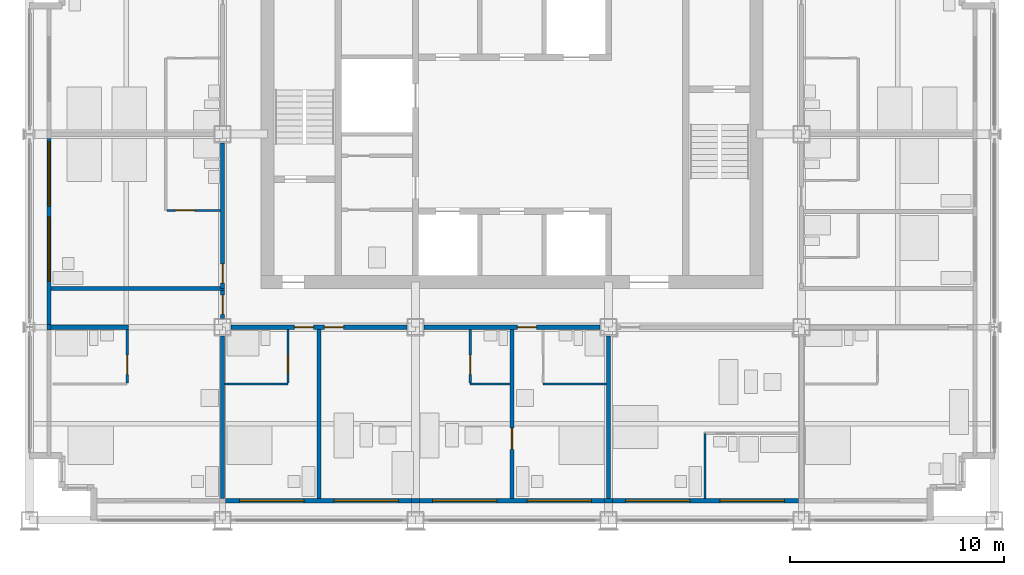
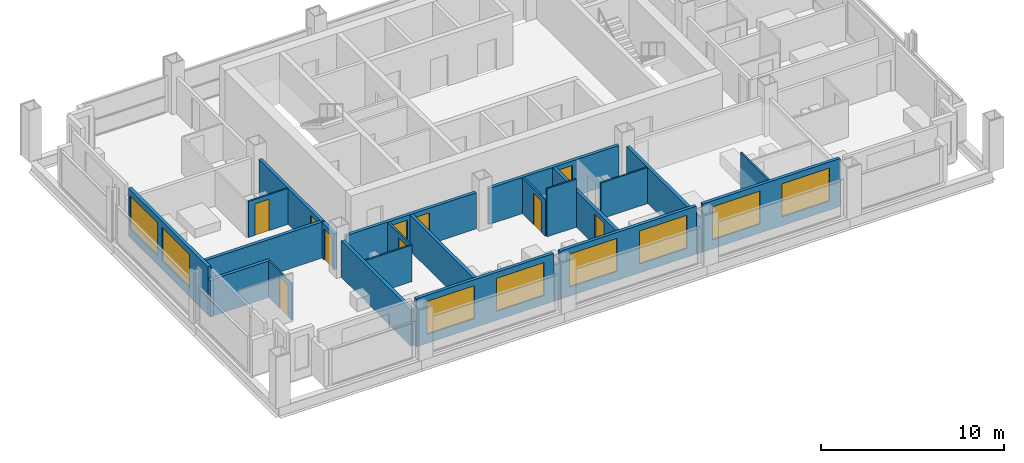
# One storey, part 7 of 13: 25 walls, 10 doors, 8 windows, 18 openings.
"""IFC4 building model written with IfcOpenShell, lengths in metres."""

from ifc_helpers import new_model, si_unit, direction, frame, frame_2d, origin, place, context, subcontext, project, spatial, rectangle, extrude, material, layer, layer_set, type_object, element, fill, save


model = new_model("IFC4")

# Units and contexts
model_context = context("Model", 3, precision=1e-05, world=origin(), true_north=direction((0.0, 1.0)))
body_context = subcontext(model_context, "Body", "Model", "MODEL_VIEW")
ifc_project = project(units=[si_unit("LENGTHUNIT", "METRE"), si_unit("AREAUNIT", "SQUARE_METRE"), si_unit("VOLUMEUNIT", "CUBIC_METRE"), si_unit("PLANEANGLEUNIT", "RADIAN"), si_unit("MASSUNIT", "GRAM", prefix="KILO")], contexts=[model_context])

# Site, building, storey
site_placement = place(None, origin())
site = spatial("IfcSite", under=ifc_project, at=site_placement, CompositionType="ELEMENT")
building_placement = place(site_placement, origin())
building = spatial("IfcBuilding", under=site, at=building_placement, Name="Loomwork Tower", CompositionType="ELEMENT")
storey_placement = place(building_placement, frame((0.0, 0.0, 197.800048828125)))
storey = spatial("IfcBuildingStorey", under=building, at=storey_placement, Name="L54", CompositionType="ELEMENT", Elevation=197.800048828125)

# Wall
ifc_material_1 = material(Name="Gypsum board on steel studs, one-hour", Category="steel")
ifc_layer_1 = layer(ifc_material_1, 0.199951171875)
ifc_layer_set_1 = layer_set([ifc_layer_1], Name="Corridor wall 200")
wall_type_1 = type_object("IfcWallType", Name="Corridor wall 200", PredefinedType="PARTITIONING", material=ifc_layer_set_1)
wall_1_placement = place(storey_placement, frame((1.0, 9.0, 0.0), z_axis=(0.0, 0.0, 1.0), x_axis=(1.0, 0.0, 0.0)))
element("IfcWall", 1, at=wall_1_placement, inside=storey, type_object=wall_type_1, Name="South corridor wall 1", PredefinedType="PARTITIONING", context=body_context, shape_type="SweptSolid", body=[
    extrude(rectangle(XDim=3.60009765625, YDim=0.199951171875, at=frame_2d((1.800048828125, 0.0))), origin(), (0.0, 0.0, 1.0), 2.43798828125),
])

# Wall, openings, doors
wall_2_placement = place(storey_placement, frame((9.39990234375, 9.0, 0.0), z_axis=(0.0, 0.0, 1.0), x_axis=(1.0, 0.0, 0.0)))
wall_2 = element("IfcWall", 2, at=wall_2_placement, inside=storey, type_object=wall_type_1, Name="South corridor wall 2", PredefinedType="PARTITIONING", context=body_context, shape_type="SweptSolid", body=[
    extrude(rectangle(XDim=8.2001953125, YDim=0.199951171875, at=frame_2d((4.10009765625, 0.0))), origin(), (0.0, 0.0, 1.0), 2.405029296875),
])
opening_1_placement = place(wall_2_placement, frame((2.949951171875, 0.0, 0.0)))
opening_1 = element("IfcOpeningElement", 3, at=opening_1_placement, cuts=wall_2, Name="Opening D1", PredefinedType="OPENING", context=body_context, shape_type="SweptSolid", body=[
    extrude(rectangle(XDim=0.89990234375, YDim=2.10009765625, at=frame_2d((0.449951171875, 1.050048828125))), frame((0.0, 0.10986328125, 0.0), z_axis=(0.0, -1.0, 0.0), x_axis=(1.0, 0.0, 0.0)), (0.0, 0.0, 1.0), 0.219970703125),
])
opening_2_placement = place(wall_2_placement, frame((4.35009765625, 0.0, 0.0)))
opening_2 = element("IfcOpeningElement", 4, at=opening_2_placement, cuts=wall_2, Name="Opening D1", PredefinedType="OPENING", context=body_context, shape_type="SweptSolid", body=[
    extrude(rectangle(XDim=0.89990234375, YDim=2.10009765625, at=frame_2d((0.449951171875, 1.050048828125))), frame((0.0, 0.10986328125, 0.0), z_axis=(0.0, -1.0, 0.0), x_axis=(1.0, 0.0, 0.0)), (0.0, 0.0, 1.0), 0.219970703125),
])
ifc_material_2 = material(Name="Hollow metal door and frame")
door_type_1 = type_object("IfcDoorType", Name="Guest room entry door 900", OperationType="SINGLE_SWING_LEFT", PredefinedType="DOOR", material=ifc_material_2)
door_1_placement = place(opening_1_placement, frame((0.89990234375, 0.0, 0.0), z_axis=(0.0, 0.0, 1.0), x_axis=(-1.0, 0.0, 0.0)))
door_1 = element("IfcDoor", 5, at=door_1_placement, inside=storey, type_object=door_type_1, Name="Guest room entry door L54 2", OperationType="SINGLE_SWING_LEFT", OverallHeight=2.10009765625, OverallWidth=0.89990234375, PredefinedType="DOOR", context=body_context, shape_type="SweptSolid", body=[
    extrude(rectangle(XDim=0.89990234375, YDim=2.10009765625, at=frame_2d((0.449951171875, 1.050048828125))), frame((0.0, 0.02490234375, 0.0), z_axis=(0.0, -1.0, 0.0), x_axis=(1.0, 0.0, 0.0)), (0.0, 0.0, 1.0), 0.050048828125),
])
fill(opening_1, door_1)
door_2_placement = place(opening_2_placement, frame((0.89990234375, 0.0, 0.0), z_axis=(0.0, 0.0, 1.0), x_axis=(-1.0, 0.0, 0.0)))
door_2 = element("IfcDoor", 6, at=door_2_placement, inside=storey, type_object=door_type_1, Name="Guest room entry door L54 3", OperationType="SINGLE_SWING_RIGHT", OverallHeight=2.10009765625, OverallWidth=0.89990234375, PredefinedType="DOOR", context=body_context, shape_type="SweptSolid", body=[
    extrude(rectangle(XDim=0.89990234375, YDim=2.10009765625, at=frame_2d((0.449951171875, 1.050048828125))), frame((0.0, 0.02490234375, 0.0), z_axis=(0.0, -1.0, 0.0), x_axis=(1.0, 0.0, 0.0)), (0.0, 0.0, 1.0), 0.050048828125),
])
fill(opening_2, door_2)

# Wall, opening, door
wall_3_placement = place(storey_placement, frame((18.39990234375, 9.0, 0.0), z_axis=(0.0, 0.0, 1.0), x_axis=(1.0, 0.0, 0.0)))
wall_3 = element("IfcWall", 7, at=wall_3_placement, inside=storey, type_object=wall_type_1, Name="South corridor wall 3", PredefinedType="PARTITIONING", context=body_context, shape_type="SweptSolid", body=[
    extrude(rectangle(XDim=8.2001953125, YDim=0.199951171875, at=frame_2d((4.10009765625, 0.0))), origin(), (0.0, 0.0, 1.0), 2.405029296875),
])
opening_3_placement = place(wall_3_placement, frame((4.35009765625, 0.0, 0.0)))
opening_3 = element("IfcOpeningElement", 8, at=opening_3_placement, cuts=wall_3, Name="Opening D1", PredefinedType="OPENING", context=body_context, shape_type="SweptSolid", body=[
    extrude(rectangle(XDim=0.89990234375, YDim=2.10009765625, at=frame_2d((0.449951171875, 1.050048828125))), frame((0.0, 0.10986328125, 0.0), z_axis=(0.0, -1.0, 0.0), x_axis=(1.0, 0.0, 0.0)), (0.0, 0.0, 1.0), 0.219970703125),
])
door_3_placement = place(opening_3_placement, frame((0.89990234375, 0.0, 0.0), z_axis=(0.0, 0.0, 1.0), x_axis=(-1.0, 0.0, 0.0)))
door_3 = element("IfcDoor", 9, at=door_3_placement, inside=storey, type_object=door_type_1, Name="Guest room entry door L54 4", OperationType="SINGLE_SWING_RIGHT", OverallHeight=2.10009765625, OverallWidth=0.89990234375, PredefinedType="DOOR", context=body_context, shape_type="SweptSolid", body=[
    extrude(rectangle(XDim=0.89990234375, YDim=2.10009765625, at=frame_2d((0.449951171875, 1.050048828125))), frame((0.0, 0.02490234375, 0.0), z_axis=(0.0, -1.0, 0.0), x_axis=(1.0, 0.0, 0.0)), (0.0, 0.0, 1.0), 0.050048828125),
])
fill(opening_3, door_3)

wall_4_placement = place(storey_placement, frame((9.0, 10.800048828125, 0.0), z_axis=(0.0, 0.0, 1.0), x_axis=(0.0, 1.0, 0.0)))
wall_4 = element("IfcWall", 10, at=wall_4_placement, inside=storey, type_object=wall_type_1, Name="West corridor wall 1", PredefinedType="PARTITIONING", context=body_context, shape_type="SweptSolid", body=[
    extrude(rectangle(XDim=6.800048828125, YDim=0.199951171875, at=frame_2d((3.39990234375, 0.0))), origin(), (0.0, 0.0, 1.0), 2.405029296875),
])
opening_4_placement = place(wall_4_placement, frame((0.25, 0.0, 0.0)))
opening_4 = element("IfcOpeningElement", 11, at=opening_4_placement, cuts=wall_4, Name="Opening D1", PredefinedType="OPENING", context=body_context, shape_type="SweptSolid", body=[
    extrude(rectangle(XDim=0.89990234375, YDim=2.10009765625, at=frame_2d((0.449951171875, 1.050048828125))), frame((0.0, 0.10986328125, 0.0), z_axis=(0.0, -1.0, 0.0), x_axis=(1.0, 0.0, 0.0)), (0.0, 0.0, 1.0), 0.219970703125),
])
door_4_placement = place(opening_4_placement, origin())
door_4 = element("IfcDoor", 12, at=door_4_placement, inside=storey, type_object=door_type_1, Name="Guest room entry door L54 7", OperationType="SINGLE_SWING_LEFT", OverallHeight=2.10009765625, OverallWidth=0.89990234375, PredefinedType="DOOR", context=body_context, shape_type="SweptSolid", body=[
    extrude(rectangle(XDim=0.89990234375, YDim=2.10009765625, at=frame_2d((0.449951171875, 1.050048828125))), frame((0.0, 0.02490234375, 0.0), z_axis=(0.0, -1.0, 0.0), x_axis=(1.0, 0.0, 0.0)), (0.0, 0.0, 1.0), 0.050048828125),
])
fill(opening_4, door_4)

# Wall
wall_5_placement = place(storey_placement, frame((1.0, 10.800048828125, 0.0), z_axis=(0.0, 0.0, 1.0), x_axis=(1.0, 0.0, 0.0)))
element("IfcWall", 13, at=wall_5_placement, inside=storey, type_object=wall_type_1, Name="West band end wall S", PredefinedType="PARTITIONING", context=body_context, shape_type="SweptSolid", body=[
    extrude(rectangle(XDim=8.10009765625, YDim=0.199951171875, at=frame_2d((4.050048828125, 0.0))), origin(), (0.0, 0.0, 1.0), 2.404052734375),
])

# Wall, opening, door
wall_6_placement = place(storey_placement, frame((9.0, 9.39990234375, 0.0), z_axis=(0.0, 0.0, 1.0), x_axis=(0.0, 1.0, 0.0)))
wall_6 = element("IfcWall", 14, at=wall_6_placement, inside=storey, type_object=wall_type_1, Name="Corner suite foyer wall", PredefinedType="PARTITIONING", context=body_context, shape_type="SweptSolid", body=[
    extrude(rectangle(XDim=1.300048828125, YDim=0.199951171875, at=frame_2d((0.64990234375, 0.0))), origin(), (0.0, 0.0, 1.0), 2.405029296875),
])
opening_5_placement = place(wall_6_placement, frame((0.199951171875, 0.0, 0.0)))
opening_5 = element("IfcOpeningElement", 15, at=opening_5_placement, cuts=wall_6, Name="Opening D1", PredefinedType="OPENING", context=body_context, shape_type="SweptSolid", body=[
    extrude(rectangle(XDim=0.89990234375, YDim=2.10009765625, at=frame_2d((0.449951171875, 1.050048828125))), frame((0.0, 0.10986328125, 0.0), z_axis=(0.0, -1.0, 0.0), x_axis=(1.0, 0.0, 0.0)), (0.0, 0.0, 1.0), 0.219970703125),
])
door_5_placement = place(opening_5_placement, origin())
door_5 = element("IfcDoor", 16, at=door_5_placement, inside=storey, type_object=door_type_1, Name="Guest room entry door L54 1", OperationType="SINGLE_SWING_RIGHT", OverallHeight=2.10009765625, OverallWidth=0.89990234375, PredefinedType="DOOR", context=body_context, shape_type="SweptSolid", body=[
    extrude(rectangle(XDim=0.89990234375, YDim=2.10009765625, at=frame_2d((0.449951171875, 1.050048828125))), frame((0.0, 0.02490234375, 0.0), z_axis=(0.0, -1.0, 0.0), x_axis=(1.0, 0.0, 0.0)), (0.0, 0.0, 1.0), 0.050048828125),
])
fill(opening_5, door_5)

ifc_material_3 = material(Name="Cement board on steel studs", Category="steel")
ifc_layer_2 = layer(ifc_material_3, 0.10009765625)
ifc_layer_set_2 = layer_set([ifc_layer_2], Name="En-suite partition 100")
wall_type_2 = type_object("IfcWallType", Name="En-suite partition 100", PredefinedType="PARTITIONING", material=ifc_layer_set_2)
wall_7_placement = place(storey_placement, frame((4.550048828125, 8.89990234375, 0.0), z_axis=(0.0, 0.0, 1.0), x_axis=(0.0, -1.0, 0.0)))
wall_7 = element("IfcWall", 17, at=wall_7_placement, inside=storey, type_object=wall_type_2, Name="En-suite side wall L54 room 1", PredefinedType="PARTITIONING", context=body_context, shape_type="SweptSolid", body=[
    extrude(rectangle(XDim=2.5, YDim=0.10009765625, at=frame_2d((1.25, 0.0))), origin(), (0.0, 0.0, 1.0), 2.43798828125),
])
opening_6_placement = place(wall_7_placement, frame((1.199951171875, 0.0, 0.0)))
opening_6 = element("IfcOpeningElement", 18, at=opening_6_placement, cuts=wall_7, Name="Opening D3", PredefinedType="OPENING", context=body_context, shape_type="SweptSolid", body=[
    extrude(rectangle(XDim=0.89990234375, YDim=2.10009765625, at=frame_2d((0.449951171875, 1.050048828125))), frame((0.0, 0.06005859375, 0.0), z_axis=(0.0, -1.0, 0.0), x_axis=(1.0, 0.0, 0.0)), (0.0, 0.0, 1.0), 0.1201171875),
])
ifc_material_4 = material(Name="Hollow metal door and frame")
door_type_2 = type_object("IfcDoorType", Name="Accessible en-suite door 900", OperationType="SLIDING_TO_LEFT", PredefinedType="DOOR", material=ifc_material_4)
door_6_placement = place(opening_6_placement, origin())
door_6 = element("IfcDoor", 19, at=door_6_placement, inside=storey, type_object=door_type_2, Name="Accessible en-suite door room 1", OperationType="SLIDING_TO_LEFT", OverallHeight=2.10009765625, OverallWidth=0.89990234375, PredefinedType="DOOR", context=body_context, shape_type="SweptSolid", body=[
    extrude(rectangle(XDim=0.89990234375, YDim=2.10009765625, at=frame_2d((0.449951171875, 1.050048828125))), frame((0.0, 0.02490234375, 0.0), z_axis=(0.0, -1.0, 0.0), x_axis=(1.0, 0.0, 0.0)), (0.0, 0.0, 1.0), 0.050048828125),
])
fill(opening_6, door_6)

# Wall
wall_8_placement = place(storey_placement, frame((9.10009765625, 6.35009765625, 0.0), z_axis=(0.0, 0.0, 1.0), x_axis=(1.0, 0.0, 0.0)))
element("IfcWall", 20, at=wall_8_placement, inside=storey, type_object=wall_type_2, Name="En-suite wall L54 room 2", PredefinedType="PARTITIONING", context=body_context, shape_type="SweptSolid", body=[
    extrude(rectangle(XDim=2.949951171875, YDim=0.10009765625, at=frame_2d((1.47509765625, 0.0))), origin(), (0.0, 0.0, 1.0), 2.43798828125),
])

# Wall, opening, door
wall_9_placement = place(storey_placement, frame((12.050048828125, 8.89990234375, 0.0), z_axis=(0.0, 0.0, 1.0), x_axis=(0.0, -1.0, 0.0)))
wall_9 = element("IfcWall", 21, at=wall_9_placement, inside=storey, type_object=wall_type_2, Name="En-suite side wall L54 room 2", PredefinedType="PARTITIONING", context=body_context, shape_type="SweptSolid", body=[
    extrude(rectangle(XDim=2.5, YDim=0.10009765625, at=frame_2d((1.25, 0.0))), origin(), (0.0, 0.0, 1.0), 2.404052734375),
])
opening_7_placement = place(wall_9_placement, frame((1.199951171875, 0.0, 0.0)))
opening_7 = element("IfcOpeningElement", 22, at=opening_7_placement, cuts=wall_9, Name="Opening D3", PredefinedType="OPENING", context=body_context, shape_type="SweptSolid", body=[
    extrude(rectangle(XDim=0.89990234375, YDim=2.10009765625, at=frame_2d((0.449951171875, 1.050048828125))), frame((0.0, 0.06005859375, 0.0), z_axis=(0.0, -1.0, 0.0), x_axis=(1.0, 0.0, 0.0)), (0.0, 0.0, 1.0), 0.1201171875),
])
door_7_placement = place(opening_7_placement, origin())
door_7 = element("IfcDoor", 23, at=door_7_placement, inside=storey, type_object=door_type_2, Name="Accessible en-suite door room 2", OperationType="SLIDING_TO_LEFT", OverallHeight=2.10009765625, OverallWidth=0.89990234375, PredefinedType="DOOR", context=body_context, shape_type="SweptSolid", body=[
    extrude(rectangle(XDim=0.89990234375, YDim=2.10009765625, at=frame_2d((0.449951171875, 1.050048828125))), frame((0.0, 0.02490234375, 0.0), z_axis=(0.0, -1.0, 0.0), x_axis=(1.0, 0.0, 0.0)), (0.0, 0.0, 1.0), 0.050048828125),
])
fill(opening_7, door_7)

# Wall
wall_10_placement = place(storey_placement, frame((20.550048828125, 6.35009765625, 0.0), z_axis=(0.0, 0.0, 1.0), x_axis=(1.0, 0.0, 0.0)))
element("IfcWall", 24, at=wall_10_placement, inside=storey, type_object=wall_type_2, Name="En-suite wall L54 room 3", PredefinedType="PARTITIONING", context=body_context, shape_type="SweptSolid", body=[
    extrude(rectangle(XDim=1.849853515625, YDim=0.10009765625, at=frame_2d((0.9248046875, 0.0))), origin(), (0.0, 0.0, 1.0), 3.199951171875),
])

# Wall, opening, door
wall_11_placement = place(storey_placement, frame((20.550048828125, 8.89990234375, 0.0), z_axis=(0.0, 0.0, 1.0), x_axis=(0.0, -1.0, 0.0)))
wall_11 = element("IfcWall", 25, at=wall_11_placement, inside=storey, type_object=wall_type_2, Name="En-suite side wall L54 room 3", PredefinedType="PARTITIONING", context=body_context, shape_type="SweptSolid", body=[
    extrude(rectangle(XDim=2.5, YDim=0.10009765625, at=frame_2d((1.25, 0.0))), origin(), (0.0, 0.0, 1.0), 2.404052734375),
])
opening_8_placement = place(wall_11_placement, frame((1.199951171875, 0.0, 0.0)))
opening_8 = element("IfcOpeningElement", 26, at=opening_8_placement, cuts=wall_11, Name="Opening D2", PredefinedType="OPENING", context=body_context, shape_type="SweptSolid", body=[
    extrude(rectangle(XDim=0.89990234375, YDim=2.10009765625, at=frame_2d((0.449951171875, 1.050048828125))), frame((0.0, 0.06005859375, 0.0), z_axis=(0.0, -1.0, 0.0), x_axis=(1.0, 0.0, 0.0)), (0.0, 0.0, 1.0), 0.1201171875),
])
ifc_material_5 = material(Name="Hollow metal door and frame")
door_type_3 = type_object("IfcDoorType", Name="En-suite door 900", OperationType="SINGLE_SWING_LEFT", PredefinedType="DOOR", material=ifc_material_5)
door_8_placement = place(opening_8_placement, origin())
door_8 = element("IfcDoor", 27, at=door_8_placement, inside=storey, type_object=door_type_3, Name="Suite powder room door room 3", OperationType="SINGLE_SWING_RIGHT", OverallHeight=2.10009765625, OverallWidth=0.89990234375, PredefinedType="DOOR", context=body_context, shape_type="SweptSolid", body=[
    extrude(rectangle(XDim=0.89990234375, YDim=2.10009765625, at=frame_2d((0.449951171875, 1.050048828125))), frame((0.0, 0.02490234375, 0.0), z_axis=(0.0, -1.0, 0.0), x_axis=(1.0, 0.0, 0.0)), (0.0, 0.0, 1.0), 0.050048828125),
])
fill(opening_8, door_8)

# Walls
wall_12_placement = place(storey_placement, frame((23.949951171875, 6.35009765625, 0.0), z_axis=(0.0, 0.0, 1.0), x_axis=(1.0, 0.0, 0.0)))
element("IfcWall", 28, at=wall_12_placement, inside=storey, type_object=wall_type_2, Name="En-suite wall L54 room 4", PredefinedType="PARTITIONING", context=body_context, shape_type="SweptSolid", body=[
    extrude(rectangle(XDim=2.949951171875, YDim=0.10009765625, at=frame_2d((1.47509765625, 0.0))), origin(), (0.0, 0.0, 1.0), 2.404052734375),
])
wall_13_placement = place(storey_placement, frame((31.5, 4.050048828125, 0.0), z_axis=(0.0, 0.0, 1.0), x_axis=(0.0, -1.0, 0.0)))
element("IfcWall", 29, at=wall_13_placement, inside=storey, type_object=wall_type_2, Name="Spa bathroom side wall L54 room 5", PredefinedType="PARTITIONING", context=body_context, shape_type="SweptSolid", body=[
    extrude(rectangle(XDim=3.050048828125, YDim=0.10009765625, at=frame_2d((1.52490234375, 0.0))), origin(), (0.0, 0.0, 1.0), 3.199951171875),
])

# Wall, opening, door
wall_14_placement = place(storey_placement, frame((8.89990234375, 14.449951171875, 0.0), z_axis=(0.0, 0.0, 1.0), x_axis=(-1.0, 0.0, 0.0)))
wall_14 = element("IfcWall", 30, at=wall_14_placement, inside=storey, type_object=wall_type_2, Name="En-suite side wall L54 room 7", PredefinedType="PARTITIONING", context=body_context, shape_type="SweptSolid", body=[
    extrude(rectangle(XDim=2.5, YDim=0.10009765625, at=frame_2d((1.25, 0.0))), origin(), (0.0, 0.0, 1.0), 2.404052734375),
])
opening_9_placement = place(wall_14_placement, frame((1.199951171875, 0.0, 0.0)))
opening_9 = element("IfcOpeningElement", 31, at=opening_9_placement, cuts=wall_14, Name="Opening D2", PredefinedType="OPENING", context=body_context, shape_type="SweptSolid", body=[
    extrude(rectangle(XDim=0.89990234375, YDim=2.10009765625, at=frame_2d((0.449951171875, 1.050048828125))), frame((0.0, 0.06005859375, 0.0), z_axis=(0.0, -1.0, 0.0), x_axis=(1.0, 0.0, 0.0)), (0.0, 0.0, 1.0), 0.1201171875),
])
door_9_placement = place(opening_9_placement, frame((0.89990234375, 0.0, 0.0), z_axis=(0.0, 0.0, 1.0), x_axis=(-1.0, 0.0, 0.0)))
door_9 = element("IfcDoor", 32, at=door_9_placement, inside=storey, type_object=door_type_3, Name="En-suite door room 7", OperationType="SINGLE_SWING_LEFT", OverallHeight=2.10009765625, OverallWidth=0.89990234375, PredefinedType="DOOR", context=body_context, shape_type="SweptSolid", body=[
    extrude(rectangle(XDim=0.89990234375, YDim=2.10009765625, at=frame_2d((0.449951171875, 1.050048828125))), frame((0.0, 0.02490234375, 0.0), z_axis=(0.0, -1.0, 0.0), x_axis=(1.0, 0.0, 0.0)), (0.0, 0.0, 1.0), 0.050048828125),
])
fill(opening_9, door_9)

# Walls
ifc_material_6 = material(Name="Gypsum board on steel studs, acoustic", Category="steel")
ifc_layer_3 = layer(ifc_material_6, 0.199951171875)
ifc_layer_set_3 = layer_set([ifc_layer_3], Name="Guest room party wall 200")
wall_type_3 = type_object("IfcWallType", Name="Guest room party wall 200", PredefinedType="PARTITIONING", material=ifc_layer_set_3)
wall_15_placement = place(storey_placement, frame((9.0, 8.60009765625, 0.0), z_axis=(0.0, 0.0, 1.0), x_axis=(0.0, -1.0, 0.0)))
element("IfcWall", 33, at=wall_15_placement, inside=storey, type_object=wall_type_3, Name="Guest room party wall S 9", PredefinedType="PARTITIONING", context=body_context, shape_type="SweptSolid", body=[
    extrude(rectangle(XDim=7.60009765625, YDim=0.199951171875, at=frame_2d((3.800048828125, 0.0))), origin(), (0.0, 0.0, 1.0), 2.43798828125),
])
wall_16_placement = place(storey_placement, frame((13.5, 8.89990234375, 0.0), z_axis=(0.0, 0.0, 1.0), x_axis=(0.0, -1.0, 0.0)))
element("IfcWall", 34, at=wall_16_placement, inside=storey, type_object=wall_type_3, Name="Guest room party wall S 13.5", PredefinedType="PARTITIONING", context=body_context, shape_type="SweptSolid", body=[
    extrude(rectangle(XDim=7.89990234375, YDim=0.199951171875, at=frame_2d((3.949951171875, 0.0))), origin(), (0.0, 0.0, 1.0), 2.404052734375),
])

# Wall, opening, door
wall_17_placement = place(storey_placement, frame((22.5, 8.89990234375, 0.0), z_axis=(0.0, 0.0, 1.0), x_axis=(0.0, -1.0, 0.0)))
wall_17 = element("IfcWall", 35, at=wall_17_placement, inside=storey, type_object=wall_type_3, Name="Guest room party wall S 22.5", PredefinedType="PARTITIONING", context=body_context, shape_type="SweptSolid", body=[
    extrude(rectangle(XDim=7.89990234375, YDim=0.199951171875, at=frame_2d((3.949951171875, 0.0))), origin(), (0.0, 0.0, 1.0), 2.404052734375),
])
opening_10_placement = place(wall_17_placement, frame((4.60009765625, 0.0, 0.0)))
opening_10 = element("IfcOpeningElement", 36, at=opening_10_placement, cuts=wall_17, Name="Opening D7", PredefinedType="OPENING", context=body_context, shape_type="SweptSolid", body=[
    extrude(rectangle(XDim=1.0, YDim=2.10009765625, at=frame_2d((0.5, 1.050048828125))), frame((0.0, 0.10986328125, 0.0), z_axis=(0.0, -1.0, 0.0), x_axis=(1.0, 0.0, 0.0)), (0.0, 0.0, 1.0), 0.219970703125),
])
ifc_material_7 = material(Name="Hollow metal door and frame")
door_type_4 = type_object("IfcDoorType", Name="Room door 1000", OperationType="SINGLE_SWING_LEFT", PredefinedType="DOOR", material=ifc_material_7)
door_10_placement = place(opening_10_placement, origin())
door_10 = element("IfcDoor", 37, at=door_10_placement, inside=storey, type_object=door_type_4, Name="Suite connecting door L54 S 22.5", OperationType="SINGLE_SWING_LEFT", OverallHeight=2.10009765625, OverallWidth=1.0, PredefinedType="DOOR", context=body_context, shape_type="SweptSolid", body=[
    extrude(rectangle(XDim=1.0, YDim=2.10009765625, at=frame_2d((0.5, 1.050048828125))), frame((0.0, 0.02490234375, 0.0), z_axis=(0.0, -1.0, 0.0), x_axis=(1.0, 0.0, 0.0)), (0.0, 0.0, 1.0), 0.050048828125),
])
fill(opening_10, door_10)

# Wall
wall_18_placement = place(storey_placement, frame((27.0, 8.60009765625, 0.0), z_axis=(0.0, 0.0, 1.0), x_axis=(0.0, -1.0, 0.0)))
element("IfcWall", 38, at=wall_18_placement, inside=storey, type_object=wall_type_3, Name="Guest room party wall S 27", PredefinedType="PARTITIONING", context=body_context, shape_type="SweptSolid", body=[
    extrude(rectangle(XDim=7.60009765625, YDim=0.199951171875, at=frame_2d((3.800048828125, 0.0))), origin(), (0.0, 0.0, 1.0), 2.405029296875),
])

# Wall, openings, windows
ifc_material_8 = material(Name="Insulated steel stud wall with gypsum lining", Category="steel")
ifc_layer_4 = layer(ifc_material_8, 0.199951171875)
ifc_layer_set_4 = layer_set([ifc_layer_4], Name="Inner skin wall 200")
wall_type_4 = type_object("IfcWallType", Name="Inner skin wall 200", PredefinedType="SOLIDWALL", material=ifc_layer_set_4)
wall_19_placement = place(storey_placement, frame((9.13525390625, 0.89990234375, 0.0), z_axis=(0.0, 0.0, 1.0), x_axis=(1.0, 0.0, 0.0)))
wall_19 = element("IfcWall", 39, at=wall_19_placement, inside=storey, type_object=wall_type_4, Name="Inner skin wall S bay 3", PredefinedType="SOLIDWALL", context=body_context, shape_type="SweptSolid", body=[
    extrude(rectangle(XDim=8.6708984375, YDim=0.199951171875, at=frame_2d((4.33544921875, 0.0))), origin(), (0.0, 0.0, 1.0), 3.199951171875),
])
opening_11_placement = place(wall_19_placement, frame((0.664794921875, 0.0, 0.60009765625)))
opening_11 = element("IfcOpeningElement", 40, at=opening_11_placement, cuts=wall_19, Name="Opening CH1", PredefinedType="OPENING", context=body_context, shape_type="SweptSolid", body=[
    extrude(rectangle(XDim=3.0, YDim=2.199951171875, at=frame_2d((1.5, 1.10009765625))), frame((0.0, 0.10986328125, 0.0), z_axis=(0.0, -1.0, 0.0), x_axis=(1.0, 0.0, 0.0)), (0.0, 0.0, 1.0), 0.219970703125),
])
opening_12_placement = place(wall_19_placement, frame((5.064697265625, 0.0, 0.60009765625)))
opening_12 = element("IfcOpeningElement", 41, at=opening_12_placement, cuts=wall_19, Name="Opening CH1", PredefinedType="OPENING", context=body_context, shape_type="SweptSolid", body=[
    extrude(rectangle(XDim=3.0, YDim=2.199951171875, at=frame_2d((1.5, 1.10009765625))), frame((0.0, 0.10986328125, 0.0), z_axis=(0.0, -1.0, 0.0), x_axis=(1.0, 0.0, 0.0)), (0.0, 0.0, 1.0), 0.219970703125),
])
ifc_material_9 = material(Name="Aluminium frame with clear insulated glass", Category="aluminium")
window_type = type_object("IfcWindowType", Name="Chicago window 3000", PartitioningType="TRIPLE_PANEL_VERTICAL", PredefinedType="WINDOW", material=ifc_material_9)
window_1_placement = place(opening_11_placement, origin())
window_1 = element("IfcWindow", 42, at=window_1_placement, inside=storey, type_object=window_type, Name="Chicago window L54 bay 2", OverallHeight=2.199951171875, OverallWidth=3.0, PartitioningType="TRIPLE_PANEL_VERTICAL", PredefinedType="WINDOW", context=body_context, shape_type="SweptSolid", body=[
    extrude(rectangle(XDim=3.0, YDim=2.199951171875, at=frame_2d((1.5, 1.10009765625))), frame((0.0, 0.030029296875, 0.0), z_axis=(0.0, -1.0, 0.0), x_axis=(1.0, 0.0, 0.0)), (0.0, 0.0, 1.0), 0.06005859375),
])
fill(opening_11, window_1)
window_2_placement = place(opening_12_placement, origin())
window_2 = element("IfcWindow", 43, at=window_2_placement, inside=storey, type_object=window_type, Name="Chicago window L54 bay 2", OverallHeight=2.199951171875, OverallWidth=3.0, PartitioningType="TRIPLE_PANEL_VERTICAL", PredefinedType="WINDOW", context=body_context, shape_type="SweptSolid", body=[
    extrude(rectangle(XDim=3.0, YDim=2.199951171875, at=frame_2d((1.5, 1.10009765625))), frame((0.0, 0.030029296875, 0.0), z_axis=(0.0, -1.0, 0.0), x_axis=(1.0, 0.0, 0.0)), (0.0, 0.0, 1.0), 0.06005859375),
])
fill(opening_12, window_2)

# Wall
wall_20_placement = place(storey_placement, frame((17.80615234375, 0.89990234375, 0.0), z_axis=(0.0, 0.0, 1.0), x_axis=(1.0, 0.0, 0.0)))
element("IfcWall", 44, at=wall_20_placement, inside=storey, type_object=wall_type_4, Name="Inner skin wall S bay 4", PredefinedType="SOLIDWALL", context=body_context, shape_type="SweptSolid", body=[
    extrude(rectangle(XDim=0.3876953125, YDim=0.199951171875, at=frame_2d((0.19384765625, 0.0))), origin(), (0.0, 0.0, 1.0), 2.404052734375),
])

# Wall, openings, windows
wall_21_placement = place(storey_placement, frame((18.19384765625, 0.89990234375, 0.0), z_axis=(0.0, 0.0, 1.0), x_axis=(1.0, 0.0, 0.0)))
wall_21 = element("IfcWall", 45, at=wall_21_placement, inside=storey, type_object=wall_type_4, Name="Inner skin wall S bay 5", PredefinedType="SOLIDWALL", context=body_context, shape_type="SweptSolid", body=[
    extrude(rectangle(XDim=8.6123046875, YDim=0.199951171875, at=frame_2d((4.30615234375, 0.0))), origin(), (0.0, 0.0, 1.0), 3.199951171875),
])
opening_13_placement = place(wall_21_placement, frame((0.606201171875, 0.0, 0.60009765625)))
opening_13 = element("IfcOpeningElement", 46, at=opening_13_placement, cuts=wall_21, Name="Opening CH1", PredefinedType="OPENING", context=body_context, shape_type="SweptSolid", body=[
    extrude(rectangle(XDim=3.0, YDim=2.199951171875, at=frame_2d((1.5, 1.10009765625))), frame((0.0, 0.10986328125, 0.0), z_axis=(0.0, -1.0, 0.0), x_axis=(1.0, 0.0, 0.0)), (0.0, 0.0, 1.0), 0.219970703125),
])
opening_14_placement = place(wall_21_placement, frame((5.006103515625, 0.0, 0.60009765625)))
opening_14 = element("IfcOpeningElement", 47, at=opening_14_placement, cuts=wall_21, Name="Opening CH1", PredefinedType="OPENING", context=body_context, shape_type="SweptSolid", body=[
    extrude(rectangle(XDim=3.0, YDim=2.199951171875, at=frame_2d((1.5, 1.10009765625))), frame((0.0, 0.10986328125, 0.0), z_axis=(0.0, -1.0, 0.0), x_axis=(1.0, 0.0, 0.0)), (0.0, 0.0, 1.0), 0.219970703125),
])
window_3_placement = place(opening_13_placement, origin())
window_3 = element("IfcWindow", 48, at=window_3_placement, inside=storey, type_object=window_type, Name="Chicago window L54 bay 3", OverallHeight=2.199951171875, OverallWidth=3.0, PartitioningType="TRIPLE_PANEL_VERTICAL", PredefinedType="WINDOW", context=body_context, shape_type="SweptSolid", body=[
    extrude(rectangle(XDim=3.0, YDim=2.199951171875, at=frame_2d((1.5, 1.10009765625))), frame((0.0, 0.030029296875, 0.0), z_axis=(0.0, -1.0, 0.0), x_axis=(1.0, 0.0, 0.0)), (0.0, 0.0, 1.0), 0.06005859375),
])
fill(opening_13, window_3)
window_4_placement = place(opening_14_placement, origin())
window_4 = element("IfcWindow", 49, at=window_4_placement, inside=storey, type_object=window_type, Name="Chicago window L54 bay 3", OverallHeight=2.199951171875, OverallWidth=3.0, PartitioningType="TRIPLE_PANEL_VERTICAL", PredefinedType="WINDOW", context=body_context, shape_type="SweptSolid", body=[
    extrude(rectangle(XDim=3.0, YDim=2.199951171875, at=frame_2d((1.5, 1.10009765625))), frame((0.0, 0.030029296875, 0.0), z_axis=(0.0, -1.0, 0.0), x_axis=(1.0, 0.0, 0.0)), (0.0, 0.0, 1.0), 0.06005859375),
])
fill(opening_14, window_4)

# Wall
wall_22_placement = place(storey_placement, frame((26.80615234375, 0.89990234375, 0.0), z_axis=(0.0, 0.0, 1.0), x_axis=(1.0, 0.0, 0.0)))
element("IfcWall", 50, at=wall_22_placement, inside=storey, type_object=wall_type_4, Name="Inner skin wall S bay 6", PredefinedType="SOLIDWALL", context=body_context, shape_type="SweptSolid", body=[
    extrude(rectangle(XDim=0.3876953125, YDim=0.199951171875, at=frame_2d((0.19384765625, 0.0))), origin(), (0.0, 0.0, 1.0), 2.404052734375),
])

# Wall, openings, windows
wall_23_placement = place(storey_placement, frame((27.19384765625, 0.89990234375, 0.0), z_axis=(0.0, 0.0, 1.0), x_axis=(1.0, 0.0, 0.0)))
wall_23 = element("IfcWall", 51, at=wall_23_placement, inside=storey, type_object=wall_type_4, Name="Inner skin wall S bay 7", PredefinedType="SOLIDWALL", context=body_context, shape_type="SweptSolid", body=[
    extrude(rectangle(XDim=8.670654296875, YDim=0.199951171875, at=frame_2d((4.33544921875, 0.0))), origin(), (0.0, 0.0, 1.0), 3.199951171875),
])
opening_15_placement = place(wall_23_placement, frame((0.606201171875, 0.0, 0.60009765625)))
opening_15 = element("IfcOpeningElement", 52, at=opening_15_placement, cuts=wall_23, Name="Opening CH1", PredefinedType="OPENING", context=body_context, shape_type="SweptSolid", body=[
    extrude(rectangle(XDim=3.0, YDim=2.199951171875, at=frame_2d((1.5, 1.10009765625))), frame((0.0, 0.10986328125, 0.0), z_axis=(0.0, -1.0, 0.0), x_axis=(1.0, 0.0, 0.0)), (0.0, 0.0, 1.0), 0.219970703125),
])
opening_16_placement = place(wall_23_placement, frame((5.006103515625, 0.0, 0.60009765625)))
opening_16 = element("IfcOpeningElement", 53, at=opening_16_placement, cuts=wall_23, Name="Opening CH1", PredefinedType="OPENING", context=body_context, shape_type="SweptSolid", body=[
    extrude(rectangle(XDim=3.0, YDim=2.199951171875, at=frame_2d((1.5, 1.10009765625))), frame((0.0, 0.10986328125, 0.0), z_axis=(0.0, -1.0, 0.0), x_axis=(1.0, 0.0, 0.0)), (0.0, 0.0, 1.0), 0.219970703125),
])
window_5_placement = place(opening_15_placement, origin())
window_5 = element("IfcWindow", 54, at=window_5_placement, inside=storey, type_object=window_type, Name="Chicago window L54 bay 4", OverallHeight=2.199951171875, OverallWidth=3.0, PartitioningType="TRIPLE_PANEL_VERTICAL", PredefinedType="WINDOW", context=body_context, shape_type="SweptSolid", body=[
    extrude(rectangle(XDim=3.0, YDim=2.199951171875, at=frame_2d((1.5, 1.10009765625))), frame((0.0, 0.030029296875, 0.0), z_axis=(0.0, -1.0, 0.0), x_axis=(1.0, 0.0, 0.0)), (0.0, 0.0, 1.0), 0.06005859375),
])
fill(opening_15, window_5)
window_6_placement = place(opening_16_placement, origin())
window_6 = element("IfcWindow", 55, at=window_6_placement, inside=storey, type_object=window_type, Name="Chicago window L54 bay 4", OverallHeight=2.199951171875, OverallWidth=3.0, PartitioningType="TRIPLE_PANEL_VERTICAL", PredefinedType="WINDOW", context=body_context, shape_type="SweptSolid", body=[
    extrude(rectangle(XDim=3.0, YDim=2.199951171875, at=frame_2d((1.5, 1.10009765625))), frame((0.0, 0.030029296875, 0.0), z_axis=(0.0, -1.0, 0.0), x_axis=(1.0, 0.0, 0.0)), (0.0, 0.0, 1.0), 0.06005859375),
])
fill(opening_16, window_6)

# Wall
wall_24_placement = place(storey_placement, frame((0.89990234375, 8.86474609375, 0.0), z_axis=(0.0, 0.0, 1.0), x_axis=(0.0, 1.0, 0.0)))
element("IfcWall", 56, at=wall_24_placement, inside=storey, type_object=wall_type_4, Name="Inner skin wall W bay 4", PredefinedType="SOLIDWALL", context=body_context, shape_type="SweptSolid", body=[
    extrude(rectangle(XDim=0.2705078125, YDim=0.199951171875, at=frame_2d((0.13525390625, 0.0))), origin(), (0.0, 0.0, 1.0), 2.43798828125),
])

# Wall, openings, windows
wall_25_placement = place(storey_placement, frame((0.89990234375, 9.13525390625, 0.0), z_axis=(0.0, 0.0, 1.0), x_axis=(0.0, 1.0, 0.0)))
wall_25 = element("IfcWall", 57, at=wall_25_placement, inside=storey, type_object=wall_type_4, Name="Inner skin wall W bay 5", PredefinedType="SOLIDWALL", context=body_context, shape_type="SweptSolid", body=[
    extrude(rectangle(XDim=8.6708984375, YDim=0.199951171875, at=frame_2d((4.33544921875, 0.0))), origin(), (0.0, 0.0, 1.0), 3.199951171875),
])
opening_17_placement = place(wall_25_placement, frame((2.0146484375, 0.0, 0.60009765625)))
opening_17 = element("IfcOpeningElement", 58, at=opening_17_placement, cuts=wall_25, Name="Opening CH1", PredefinedType="OPENING", context=body_context, shape_type="SweptSolid", body=[
    extrude(rectangle(XDim=3.0, YDim=2.199951171875, at=frame_2d((1.5, 1.10009765625))), frame((0.0, 0.10986328125, 0.0), z_axis=(0.0, -1.0, 0.0), x_axis=(1.0, 0.0, 0.0)), (0.0, 0.0, 1.0), 0.219970703125),
])
opening_18_placement = place(wall_25_placement, frame((5.5146484375, 0.0, 0.60009765625)))
opening_18 = element("IfcOpeningElement", 59, at=opening_18_placement, cuts=wall_25, Name="Opening CH1", PredefinedType="OPENING", context=body_context, shape_type="SweptSolid", body=[
    extrude(rectangle(XDim=3.0, YDim=2.199951171875, at=frame_2d((1.5, 1.10009765625))), frame((0.0, 0.10986328125, 0.0), z_axis=(0.0, -1.0, 0.0), x_axis=(1.0, 0.0, 0.0)), (0.0, 0.0, 1.0), 0.219970703125),
])
window_7_placement = place(opening_17_placement, origin())
window_7 = element("IfcWindow", 60, at=window_7_placement, inside=storey, type_object=window_type, Name="Chicago window L54 bay 6", OverallHeight=2.199951171875, OverallWidth=3.0, PartitioningType="TRIPLE_PANEL_VERTICAL", PredefinedType="WINDOW", context=body_context, shape_type="SweptSolid", body=[
    extrude(rectangle(XDim=3.0, YDim=2.199951171875, at=frame_2d((1.5, 1.10009765625))), frame((0.0, 0.030029296875, 0.0), z_axis=(0.0, -1.0, 0.0), x_axis=(1.0, 0.0, 0.0)), (0.0, 0.0, 1.0), 0.06005859375),
])
fill(opening_17, window_7)
window_8_placement = place(opening_18_placement, origin())
window_8 = element("IfcWindow", 61, at=window_8_placement, inside=storey, type_object=window_type, Name="Chicago window L54 bay 6", OverallHeight=2.199951171875, OverallWidth=3.0, PartitioningType="TRIPLE_PANEL_VERTICAL", PredefinedType="WINDOW", context=body_context, shape_type="SweptSolid", body=[
    extrude(rectangle(XDim=3.0, YDim=2.199951171875, at=frame_2d((1.5, 1.10009765625))), frame((0.0, 0.030029296875, 0.0), z_axis=(0.0, -1.0, 0.0), x_axis=(1.0, 0.0, 0.0)), (0.0, 0.0, 1.0), 0.06005859375),
])
fill(opening_18, window_8)

save(model, "model.ifc")
